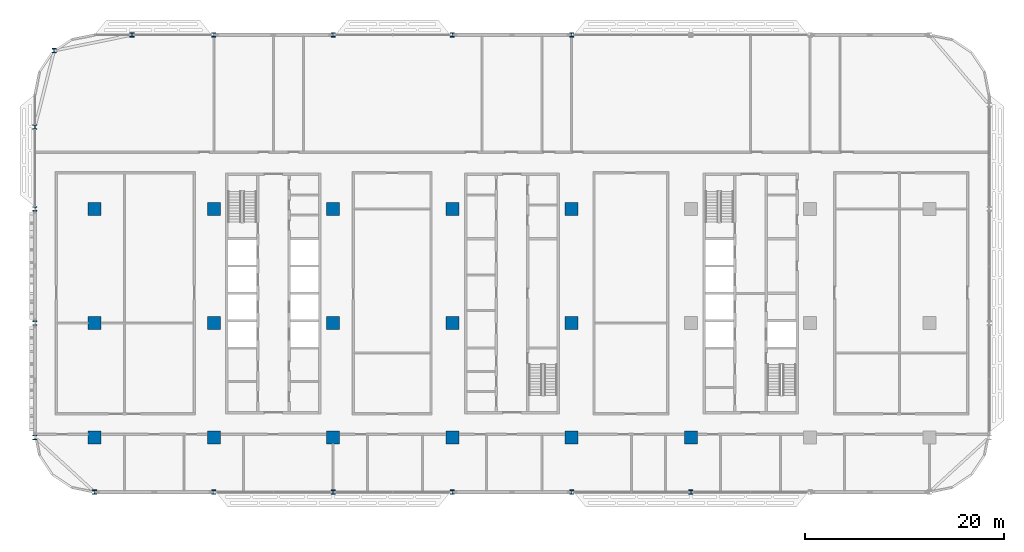
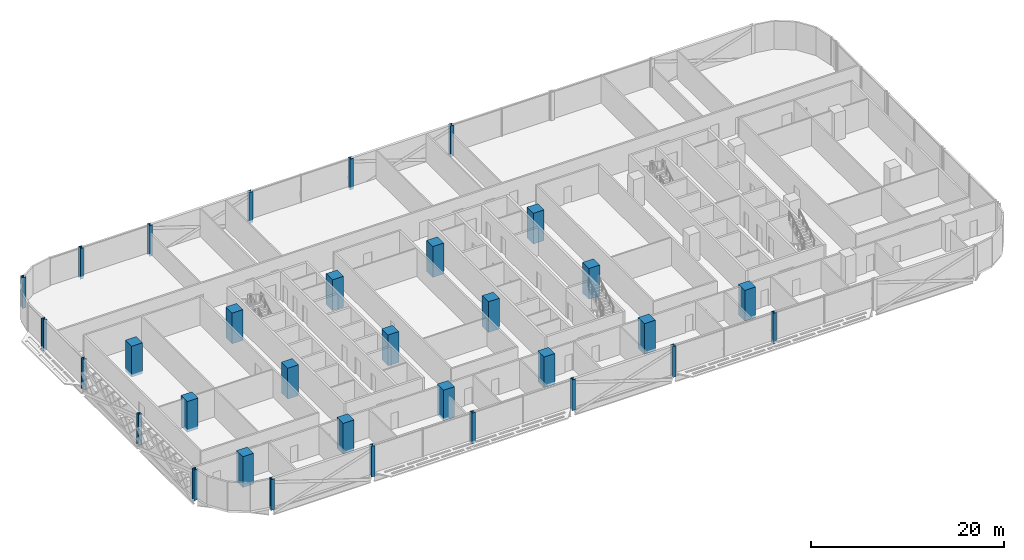
# One storey, part 1 of 29: 32 columns.
"""IFC4 building model written with IfcOpenShell, lengths in metres."""

from ifc_helpers import new_model, si_unit, direction, frame, origin, origin_2d, place, context, subcontext, project, spatial, rectangle, i_section, extrude, material, material_profile, profile_set, type_object, element, save


model = new_model("IFC4")

# Units and contexts
model_context = context("Model", 3, precision=1e-05, world=origin(), true_north=direction((0.0, 1.0)))
body_context = subcontext(model_context, "Body", "Model", "MODEL_VIEW")
ifc_project = project(units=[si_unit("LENGTHUNIT", "METRE"), si_unit("AREAUNIT", "SQUARE_METRE"), si_unit("VOLUMEUNIT", "CUBIC_METRE"), si_unit("PLANEANGLEUNIT", "RADIAN"), si_unit("MASSUNIT", "GRAM", prefix="KILO")], contexts=[model_context])

# Site, building, storey
site_placement = place(None, origin())
site = spatial("IfcSite", under=ifc_project, at=site_placement, CompositionType="ELEMENT")
building_placement = place(site_placement, origin())
building = spatial("IfcBuilding", under=site, at=building_placement, Name="Mahtab Terrace Research Tower", CompositionType="ELEMENT")
storey_placement = place(building_placement, frame((0.0, 0.0, 150.699951171875)))
storey = spatial("IfcBuildingStorey", under=building, at=storey_placement, Name="L35", CompositionType="ELEMENT", Elevation=150.699951171875)

# Columns
ifc_material_1 = material(Name="Concrete C70/85", Category="concrete")
ifc_material_profile_1 = material_profile(ifc_material_1, rectangle(XDim=1.300048828125, YDim=1.300048828125, at=origin_2d()), Name="RC column 1300x1300")
ifc_profile_set_1 = profile_set([ifc_material_profile_1], Name="Concrete C70/85")
column_type_1 = type_object("IfcColumnType", Name="RC column 1300x1300", PredefinedType="COLUMN", material=ifc_profile_set_1)
for number, where, z_axis, x_axis, name in (
    (1, (-42.0, -11.5, -0.33984375), (0.0, 0.0, 1.0), (1.0, 0.0, 0.0), "Column RC-1A L35"),
    (2, (-42.0, 0.0, -0.33984375), (0.0, 0.0, 1.0), (1.0, 0.0, 0.0), "Column RC-1B L35"),
    (3, (-42.0, 11.5, -0.33984375), (0.0, 0.0, 1.0), (1.0, 0.0, 0.0), "Column RC-1C L35"),
    (4, (-30.0, -11.5, -0.33984375), (0.0, 0.0, 1.0), (1.0, 0.0, 0.0), "Column RC-2A L35"),
    (5, (-30.0, 0.0, -0.33984375), (0.0, 0.0, 1.0), (1.0, 0.0, 0.0), "Column RC-2B L35"),
    (6, (-30.0, 11.5, -0.33984375), (0.0, 0.0, 1.0), (1.0, 0.0, 0.0), "Column RC-2C L35"),
    (7, (-18.0, -11.5, -0.33984375), (0.0, 0.0, 1.0), (1.0, 0.0, 0.0), "Column RC-3A L35"),
    (8, (-18.0, 0.0, -0.33984375), (0.0, 0.0, 1.0), (1.0, 0.0, 0.0), "Column RC-3B L35"),
    (9, (-18.0, 11.5, -0.33984375), (0.0, 0.0, 1.0), (1.0, 0.0, 0.0), "Column RC-3C L35"),
    (10, (-6.0, -11.5, -0.33984375), (0.0, 0.0, 1.0), (1.0, 0.0, 0.0), "Column RC-4A L35"),
    (11, (-6.0, 0.0, -0.33984375), (0.0, 0.0, 1.0), (1.0, 0.0, 0.0), "Column RC-4B L35"),
    (12, (-6.0, 11.5, -0.33984375), (0.0, 0.0, 1.0), (1.0, 0.0, 0.0), "Column RC-4C L35"),
    (13, (6.0, -11.5, -0.33984375), (0.0, 0.0, 1.0), (1.0, 0.0, 0.0), "Column RC-5A L35"),
    (14, (6.0, 0.0, -0.33984375), (0.0, 0.0, 1.0), (1.0, 0.0, 0.0), "Column RC-5B L35"),
    (15, (6.0, 11.5, -0.33984375), (0.0, 0.0, 1.0), (1.0, 0.0, 0.0), "Column RC-5C L35"),
    (16, (18.0, -11.5, -0.33984375), (0.0, 0.0, 1.0), (1.0, 0.0, 0.0), "Column RC-6A L35"),
):
    element("IfcColumn", number, at=place(storey_placement, frame(where, z_axis=z_axis, x_axis=x_axis)), inside=storey, type_object=column_type_1, Name=name, PredefinedType="COLUMN", context=body_context, shape_type="SweptSolid", body=[
        extrude(rectangle(XDim=1.300048828125, YDim=1.300048828125, at=origin_2d()), origin(), (0.0, 0.0, 1.0), 3.889892578125),
    ])
ifc_material_2 = material(Name="Steel ASTM A992 Gr 50", Category="steel")
ifc_material_profile_2 = material_profile(ifc_material_2, i_section(OverallWidth=0.41162109375, OverallDepth=0.434326171875, WebThickness=0.035888671875, FlangeThickness=0.057373046875, at=origin_2d()), Name="W14X311")
ifc_profile_set_2 = profile_set([ifc_material_profile_2], Name="Steel ASTM A992 Gr 50")
column_type_2 = type_object("IfcColumnType", Name="W14x311 column CS14311", PredefinedType="COLUMN", material=ifc_profile_set_2)
for number, where, z_axis, x_axis, name in (
    (17, (6.0, 29.0, -0.33984375), (0.0, 0.0, 1.0), (1.0, 0.0, 0.0), "Column SC-034 L35"),
    (18, (-6.0, 29.0, -0.33984375), (0.0, 0.0, 1.0), (1.0, 0.0, 0.0), "Column SC-035 L35"),
    (19, (-18.0, 29.0, -0.33984375), (0.0, 0.0, 1.0), (1.0, 0.0, 0.0), "Column SC-036 L35"),
    (20, (-30.0, 29.0, -0.33984375), (0.0, 0.0, 1.0), (1.0, 0.0, 0.0), "Column SC-037 L35"),
    (21, (-38.23095703125, 29.0, -0.33984375), (0.0, 0.0, 1.0), (1.0, 0.0, 0.0), "Column SC-046 L35"),
    (22, (-46.06201171875, 27.416015625, -0.33984375), (0.0, 0.0, 1.0), (1.0, 0.0, 0.0), "Column SC-047 L35"),
    (23, (-48.0, 19.73095703125, -0.33984375), (0.0, 0.0, 1.0), (1.0, 0.0, 0.0), "Column SC-048 L35"),
    (24, (-48.0, 11.5, -0.33984375), (0.0, 0.0, 1.0), (1.0, 0.0, 0.0), "Column SC-009 L35"),
    (25, (-48.0, 0.0, -0.33984375), (0.0, 0.0, 1.0), (1.0, 0.0, 0.0), "Column SC-010 L35"),
    (26, (-48.0, -11.5, -0.33984375), (0.0, 0.0, 1.0), (1.0, 0.0, 0.0), "Column SC-011 L35"),
    (27, (-42.0, -17.0, -0.33984375), (0.0, 0.0, 1.0), (1.0, 0.0, 0.0), "Column SC-049 L35"),
    (28, (-30.0, -17.0, -0.33984375), (0.0, 0.0, 1.0), (1.0, 0.0, 0.0), "Column SC-039 L35"),
    (29, (-18.0, -17.0, -0.33984375), (0.0, 0.0, 1.0), (1.0, 0.0, 0.0), "Column SC-040 L35"),
    (30, (-6.0, -17.0, -0.33984375), (0.0, 0.0, 1.0), (1.0, 0.0, 0.0), "Column SC-041 L35"),
    (31, (6.0, -17.0, -0.33984375), (0.0, 0.0, 1.0), (1.0, 0.0, 0.0), "Column SC-042 L35"),
    (32, (18.0, -17.0, -0.33984375), (0.0, 0.0, 1.0), (1.0, 0.0, 0.0), "Column SC-043 L35"),
):
    element("IfcColumn", number, at=place(storey_placement, frame(where, z_axis=z_axis, x_axis=x_axis)), inside=storey, type_object=column_type_2, Name=name, PredefinedType="COLUMN", context=body_context, shape_type="SweptSolid", body=[
        extrude(i_section(OverallWidth=0.41162109375, OverallDepth=0.434326171875, WebThickness=0.035888671875, FlangeThickness=0.057373046875, at=origin_2d()), origin(), (0.0, 0.0, 1.0), 3.889892578125),
    ])

save(model, "model.ifc")
